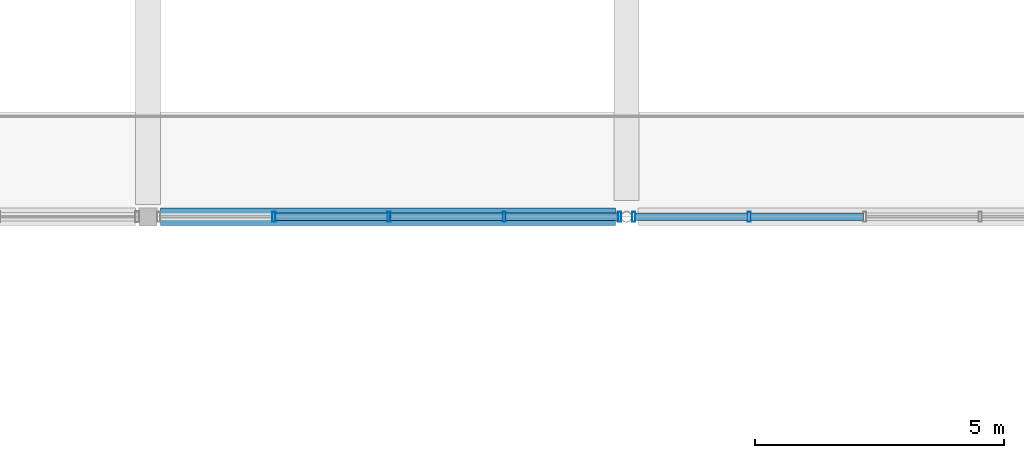
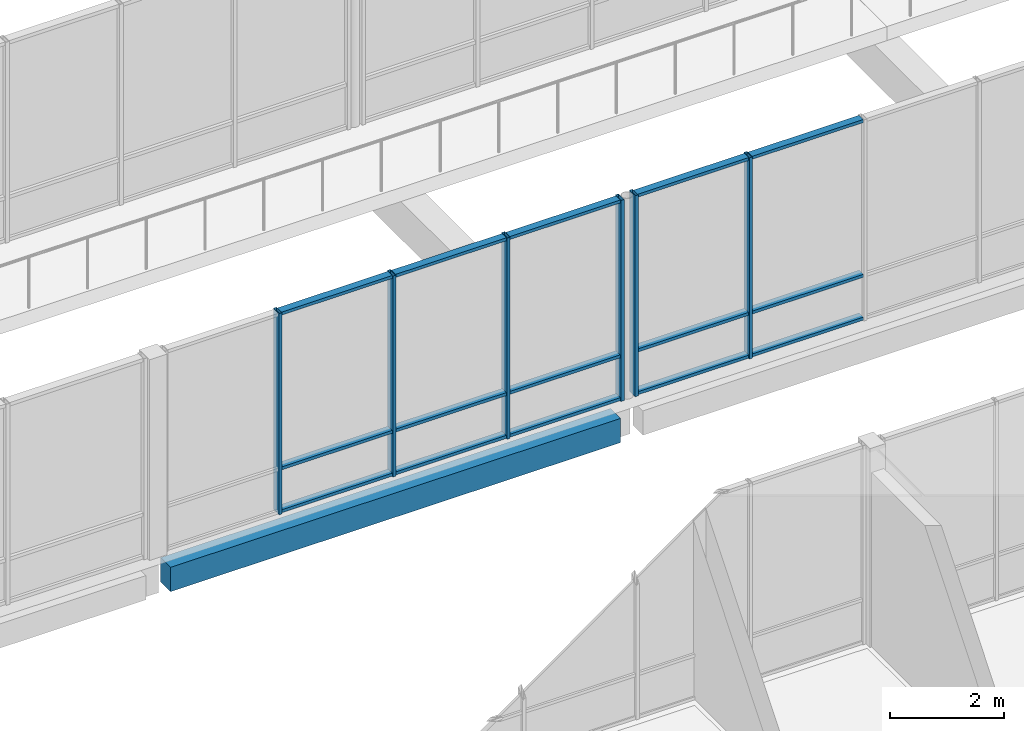
# One storey, part 66 of 146: 21 members, 1 beam, 2 elements without a shape of their own.
"""IFC4 building model written with IfcOpenShell, lengths in metres."""

from ifc_helpers import new_model, si_unit, direction, frame, origin, origin_2d, place, context, subcontext, project, spatial, rectangle, hollow_rectangle, extrude, material, material_profile, profile_set, type_object, element, aggregate, save


model = new_model("IFC4")

# Units and contexts
model_context = context("Model", 3, precision=1e-05, world=origin(), true_north=direction((0.0, 1.0)))
body_context = subcontext(model_context, "Body", "Model", "MODEL_VIEW")
ifc_project = project(units=[si_unit("LENGTHUNIT", "METRE"), si_unit("AREAUNIT", "SQUARE_METRE"), si_unit("VOLUMEUNIT", "CUBIC_METRE"), si_unit("PLANEANGLEUNIT", "RADIAN"), si_unit("MASSUNIT", "GRAM", prefix="KILO")], contexts=[model_context])

# Site, building, storey
site_placement = place(None, origin())
site = spatial("IfcSite", under=ifc_project, at=site_placement, CompositionType="ELEMENT")
building_placement = place(site_placement, origin())
building = spatial("IfcBuilding", under=site, at=building_placement, Name="Hawrajan Terrace Health Centre", CompositionType="ELEMENT")
storey_placement = place(building_placement, frame((0.0, 0.0, 4.5)))
storey = spatial("IfcBuildingStorey", under=building, at=storey_placement, Name="L01", CompositionType="ELEMENT", Elevation=4.5)

# Curtain wall, members
ifc_material_1 = material(Name="Anodized bronze aluminium and low-E solar glazing", Category="aluminium")
curtain_wall_type_1 = type_object("IfcCurtainWallType", Name="CW_Setback_SeriesL1", PredefinedType="USERDEFINED", material=ifc_material_1)
curtain_wall_1_placement = place(storey_placement, origin())
curtain_wall_1 = element("IfcCurtainWall", 1, at=curtain_wall_1_placement, inside=storey, type_object=curtain_wall_type_1, Name="Curtain wall CW-L01-094", ObjectType="UNITISED CURTAIN WALL", PredefinedType="USERDEFINED")
ifc_material_2 = material(Name="Anodized bronze aluminium 6063-T6", Category="aluminium")
ifc_material_profile_1 = material_profile(ifc_material_2, hollow_rectangle(XDim=0.06494140625, YDim=0.199951171875, WallThickness=0.00439453125, at=origin_2d()), Name="CW MUL 65x200")
ifc_profile_set_1 = profile_set([ifc_material_profile_1], Name="Anodized bronze aluminium 6063-T6")
member_type_1 = type_object("IfcMemberType", Name="CWMullion_65x200", PredefinedType="MULLION", material=ifc_profile_set_1)
member_1_placement = place(storey_placement, frame((83.923828125, 27.199951171875, -0.0048828125), z_axis=(0.0, 0.0, 1.0), x_axis=(1.0, 0.0, 0.0)))
member_1 = element("IfcMember", 2, at=member_1_placement, type_object=member_type_1, Name="Mullion CW-L01-094-M2", PredefinedType="MULLION", context=body_context, shape_type="SweptSolid", body=[
    extrude(hollow_rectangle(XDim=0.06494140625, YDim=0.199951171875, WallThickness=0.00439453125, at=origin_2d()), origin(), (0.0, 0.0, 1.0), 4.309814453125),
])
member_2_placement = place(storey_placement, frame((86.2353515625, 27.199951171875, -0.0048828125), z_axis=(0.0, 0.0, 1.0), x_axis=(1.0, 0.0, 0.0)))
member_2 = element("IfcMember", 3, at=member_2_placement, type_object=member_type_1, Name="Mullion CW-L01-094-M3", PredefinedType="MULLION", context=body_context, shape_type="SweptSolid", body=[
    extrude(hollow_rectangle(XDim=0.06494140625, YDim=0.199951171875, WallThickness=0.00439453125, at=origin_2d()), origin(), (0.0, 0.0, 1.0), 4.309814453125),
])
member_3_placement = place(storey_placement, frame((88.546630859375, 27.199951171875, -0.0048828125), z_axis=(0.0, 0.0, 1.0), x_axis=(1.0, 0.0, 0.0)))
member_3 = element("IfcMember", 4, at=member_3_placement, type_object=member_type_1, Name="Mullion CW-L01-094-M4", PredefinedType="MULLION", context=body_context, shape_type="SweptSolid", body=[
    extrude(hollow_rectangle(XDim=0.06494140625, YDim=0.199951171875, WallThickness=0.00439453125, at=origin_2d()), origin(), (0.0, 0.0, 1.0), 4.309814453125),
])
member_4_placement = place(storey_placement, frame((90.85791015625, 27.199951171875, -0.0048828125), z_axis=(0.0, 0.0, 1.0), x_axis=(1.0, 0.0, 0.0)))
member_4 = element("IfcMember", 5, at=member_4_placement, type_object=member_type_1, Name="Mullion CW-L01-094-M5", PredefinedType="MULLION", context=body_context, shape_type="SweptSolid", body=[
    extrude(hollow_rectangle(XDim=0.06494140625, YDim=0.199951171875, WallThickness=0.00439453125, at=origin_2d()), origin(), (0.0, 0.0, 1.0), 4.309814453125),
])

curtain_wall_type_2 = type_object("IfcCurtainWallType", Name="CW_Court_SeriesA1", PredefinedType="USERDEFINED", material=ifc_material_1)
curtain_wall_2_placement = place(storey_placement, origin())
curtain_wall_2 = element("IfcCurtainWall", 6, at=curtain_wall_2_placement, inside=storey, type_object=curtain_wall_type_2, Name="Curtain wall CW-L01-097", ObjectType="UNITISED CURTAIN WALL", PredefinedType="USERDEFINED")
member_5_placement = place(storey_placement, frame((91.14208984375, 27.199951171875, -0.0048828125), z_axis=(0.0, 0.0, 1.0), x_axis=(1.0, 0.0, 0.0)))
member_5 = element("IfcMember", 7, at=member_5_placement, type_object=member_type_1, Name="Mullion CW-L01-097-M1", PredefinedType="MULLION", context=body_context, shape_type="SweptSolid", body=[
    extrude(hollow_rectangle(XDim=0.06494140625, YDim=0.199951171875, WallThickness=0.00439453125, at=origin_2d()), origin(), (0.0, 0.0, 1.0), 4.309814453125),
])
member_6_placement = place(storey_placement, frame((93.4609375, 27.199951171875, -0.0048828125), z_axis=(0.0, 0.0, 1.0), x_axis=(1.0, 0.0, 0.0)))
member_6 = element("IfcMember", 8, at=member_6_placement, type_object=member_type_1, Name="Mullion CW-L01-097-M2", PredefinedType="MULLION", context=body_context, shape_type="SweptSolid", body=[
    extrude(hollow_rectangle(XDim=0.06494140625, YDim=0.199951171875, WallThickness=0.00439453125, at=origin_2d()), origin(), (0.0, 0.0, 1.0), 4.309814453125),
])

# Member
ifc_material_profile_2 = material_profile(ifc_material_2, hollow_rectangle(XDim=0.06494140625, YDim=0.14990234375, WallThickness=0.00390625, at=origin_2d()), Name="CW TRN 65x150")
ifc_profile_set_2 = profile_set([ifc_material_profile_2], Name="Anodized bronze aluminium 6063-T6")
member_type_2 = type_object("IfcMemberType", Name="CWTransom_65x150", PredefinedType="USERDEFINED", material=ifc_profile_set_2)
member_7_placement = place(storey_placement, frame((83.950439453125, 27.199951171875, 0.032470703125), z_axis=(1.0, 0.0, 0.0), x_axis=(0.0, 0.0, 1.0)))
member_7 = element("IfcMember", 9, at=member_7_placement, type_object=member_type_2, Name="Transom CW-L01-094-T2-1", ObjectType="TRANSOM", PredefinedType="USERDEFINED", context=body_context, shape_type="SweptSolid", body=[
    extrude(hollow_rectangle(XDim=0.06494140625, YDim=0.14990234375, WallThickness=0.00390625, at=origin_2d()), origin(), (0.0, 0.0, 1.0), 2.25830078125),
])

member_8_placement = place(storey_placement, frame((83.950439453125, 27.199951171875, 0.949951171875), z_axis=(1.0, 0.0, 0.0), x_axis=(0.0, 0.0, 1.0)))
member_8 = element("IfcMember", 10, at=member_8_placement, type_object=member_type_2, Name="Transom CW-L01-094-T2-2", ObjectType="TRANSOM", PredefinedType="USERDEFINED", context=body_context, shape_type="SweptSolid", body=[
    extrude(hollow_rectangle(XDim=0.06494140625, YDim=0.14990234375, WallThickness=0.00390625, at=origin_2d()), origin(), (0.0, 0.0, 1.0), 2.25830078125),
])

member_9_placement = place(storey_placement, frame((83.950439453125, 27.199951171875, 4.267578125), z_axis=(1.0, 0.0, 0.0), x_axis=(0.0, 0.0, 1.0)))
member_9 = element("IfcMember", 11, at=member_9_placement, type_object=member_type_2, Name="Transom CW-L01-094-T2-3", ObjectType="TRANSOM", PredefinedType="USERDEFINED", context=body_context, shape_type="SweptSolid", body=[
    extrude(hollow_rectangle(XDim=0.06494140625, YDim=0.14990234375, WallThickness=0.00390625, at=origin_2d()), origin(), (0.0, 0.0, 1.0), 2.25830078125),
])

member_10_placement = place(storey_placement, frame((86.26171875, 27.199951171875, 0.032470703125), z_axis=(1.0, 0.0, 0.0), x_axis=(0.0, 0.0, 1.0)))
member_10 = element("IfcMember", 12, at=member_10_placement, type_object=member_type_2, Name="Transom CW-L01-094-T3-1", ObjectType="TRANSOM", PredefinedType="USERDEFINED", context=body_context, shape_type="SweptSolid", body=[
    extrude(hollow_rectangle(XDim=0.06494140625, YDim=0.14990234375, WallThickness=0.00390625, at=origin_2d()), origin(), (0.0, 0.0, 1.0), 2.25830078125),
])

member_11_placement = place(storey_placement, frame((86.26171875, 27.199951171875, 0.949951171875), z_axis=(1.0, 0.0, 0.0), x_axis=(0.0, 0.0, 1.0)))
member_11 = element("IfcMember", 13, at=member_11_placement, type_object=member_type_2, Name="Transom CW-L01-094-T3-2", ObjectType="TRANSOM", PredefinedType="USERDEFINED", context=body_context, shape_type="SweptSolid", body=[
    extrude(hollow_rectangle(XDim=0.06494140625, YDim=0.14990234375, WallThickness=0.00390625, at=origin_2d()), origin(), (0.0, 0.0, 1.0), 2.25830078125),
])

member_12_placement = place(storey_placement, frame((86.26171875, 27.199951171875, 4.267578125), z_axis=(1.0, 0.0, 0.0), x_axis=(0.0, 0.0, 1.0)))
member_12 = element("IfcMember", 14, at=member_12_placement, type_object=member_type_2, Name="Transom CW-L01-094-T3-3", ObjectType="TRANSOM", PredefinedType="USERDEFINED", context=body_context, shape_type="SweptSolid", body=[
    extrude(hollow_rectangle(XDim=0.06494140625, YDim=0.14990234375, WallThickness=0.00390625, at=origin_2d()), origin(), (0.0, 0.0, 1.0), 2.25830078125),
])

member_13_placement = place(storey_placement, frame((88.572998046875, 27.199951171875, 0.032470703125), z_axis=(1.0, 0.0, 0.0), x_axis=(0.0, 0.0, 1.0)))
member_13 = element("IfcMember", 15, at=member_13_placement, type_object=member_type_2, Name="Transom CW-L01-094-T4-1", ObjectType="TRANSOM", PredefinedType="USERDEFINED", context=body_context, shape_type="SweptSolid", body=[
    extrude(hollow_rectangle(XDim=0.06494140625, YDim=0.14990234375, WallThickness=0.00390625, at=origin_2d()), origin(), (0.0, 0.0, 1.0), 2.258544921875),
])

member_14_placement = place(storey_placement, frame((88.572998046875, 27.199951171875, 0.949951171875), z_axis=(1.0, 0.0, 0.0), x_axis=(0.0, 0.0, 1.0)))
member_14 = element("IfcMember", 16, at=member_14_placement, type_object=member_type_2, Name="Transom CW-L01-094-T4-2", ObjectType="TRANSOM", PredefinedType="USERDEFINED", context=body_context, shape_type="SweptSolid", body=[
    extrude(hollow_rectangle(XDim=0.06494140625, YDim=0.14990234375, WallThickness=0.00390625, at=origin_2d()), origin(), (0.0, 0.0, 1.0), 2.258544921875),
])

member_15_placement = place(storey_placement, frame((88.572998046875, 27.199951171875, 4.267578125), z_axis=(1.0, 0.0, 0.0), x_axis=(0.0, 0.0, 1.0)))
member_15 = element("IfcMember", 17, at=member_15_placement, type_object=member_type_2, Name="Transom CW-L01-094-T4-3", ObjectType="TRANSOM", PredefinedType="USERDEFINED", context=body_context, shape_type="SweptSolid", body=[
    extrude(hollow_rectangle(XDim=0.06494140625, YDim=0.14990234375, WallThickness=0.00390625, at=origin_2d()), origin(), (0.0, 0.0, 1.0), 2.258544921875),
])

aggregate(curtain_wall_1, [member_1, member_2, member_3, member_4, member_7, member_8, member_9, member_10, member_11, member_12, member_13, member_14, member_15])

member_16_placement = place(storey_placement, frame((91.16845703125, 27.199951171875, 0.032470703125), z_axis=(1.0, 0.0, 0.0), x_axis=(0.0, 0.0, 1.0)))
member_16 = element("IfcMember", 18, at=member_16_placement, type_object=member_type_2, Name="Transom CW-L01-097-T1-1", ObjectType="TRANSOM", PredefinedType="USERDEFINED", context=body_context, shape_type="SweptSolid", body=[
    extrude(hollow_rectangle(XDim=0.06494140625, YDim=0.14990234375, WallThickness=0.00390625, at=origin_2d()), origin(), (0.0, 0.0, 1.0), 2.265869140625),
])

member_17_placement = place(storey_placement, frame((91.16845703125, 27.199951171875, 0.949951171875), z_axis=(1.0, 0.0, 0.0), x_axis=(0.0, 0.0, 1.0)))
member_17 = element("IfcMember", 19, at=member_17_placement, type_object=member_type_2, Name="Transom CW-L01-097-T1-2", ObjectType="TRANSOM", PredefinedType="USERDEFINED", context=body_context, shape_type="SweptSolid", body=[
    extrude(hollow_rectangle(XDim=0.06494140625, YDim=0.14990234375, WallThickness=0.00390625, at=origin_2d()), origin(), (0.0, 0.0, 1.0), 2.265869140625),
])

member_18_placement = place(storey_placement, frame((91.16845703125, 27.199951171875, 4.267578125), z_axis=(1.0, 0.0, 0.0), x_axis=(0.0, 0.0, 1.0)))
member_18 = element("IfcMember", 20, at=member_18_placement, type_object=member_type_2, Name="Transom CW-L01-097-T1-3", ObjectType="TRANSOM", PredefinedType="USERDEFINED", context=body_context, shape_type="SweptSolid", body=[
    extrude(hollow_rectangle(XDim=0.06494140625, YDim=0.14990234375, WallThickness=0.00390625, at=origin_2d()), origin(), (0.0, 0.0, 1.0), 2.265869140625),
])

member_19_placement = place(storey_placement, frame((93.4873046875, 27.199951171875, 0.032470703125), z_axis=(1.0, 0.0, 0.0), x_axis=(0.0, 0.0, 1.0)))
member_19 = element("IfcMember", 21, at=member_19_placement, type_object=member_type_2, Name="Transom CW-L01-097-T2-1", ObjectType="TRANSOM", PredefinedType="USERDEFINED", context=body_context, shape_type="SweptSolid", body=[
    extrude(hollow_rectangle(XDim=0.06494140625, YDim=0.14990234375, WallThickness=0.00390625, at=origin_2d()), origin(), (0.0, 0.0, 1.0), 2.265869140625),
])

member_20_placement = place(storey_placement, frame((93.4873046875, 27.199951171875, 0.949951171875), z_axis=(1.0, 0.0, 0.0), x_axis=(0.0, 0.0, 1.0)))
member_20 = element("IfcMember", 22, at=member_20_placement, type_object=member_type_2, Name="Transom CW-L01-097-T2-2", ObjectType="TRANSOM", PredefinedType="USERDEFINED", context=body_context, shape_type="SweptSolid", body=[
    extrude(hollow_rectangle(XDim=0.06494140625, YDim=0.14990234375, WallThickness=0.00390625, at=origin_2d()), origin(), (0.0, 0.0, 1.0), 2.265869140625),
])

member_21_placement = place(storey_placement, frame((93.4873046875, 27.199951171875, 4.267578125), z_axis=(1.0, 0.0, 0.0), x_axis=(0.0, 0.0, 1.0)))
member_21 = element("IfcMember", 23, at=member_21_placement, type_object=member_type_2, Name="Transom CW-L01-097-T2-3", ObjectType="TRANSOM", PredefinedType="USERDEFINED", context=body_context, shape_type="SweptSolid", body=[
    extrude(hollow_rectangle(XDim=0.06494140625, YDim=0.14990234375, WallThickness=0.00390625, at=origin_2d()), origin(), (0.0, 0.0, 1.0), 2.265869140625),
])

aggregate(curtain_wall_2, [member_5, member_6, member_16, member_17, member_18, member_19, member_20, member_21])

# Beam
ifc_material_3 = material(Name="Concrete C40/50", Category="concrete")
ifc_material_profile_3 = material_profile(ifc_material_3, rectangle(XDim=0.35009765625, YDim=0.52001953125, at=origin_2d()), Name="RC SP 350x520")
ifc_profile_set_3 = profile_set([ifc_material_profile_3], Name="Concrete C40/50")
beam_type = type_object("IfcBeamType", Name="RCSpandrel_350x520", PredefinedType="SPANDREL", material=ifc_profile_set_3)
beam_placement = place(storey_placement, frame((81.64990234375, 27.199951171875, -0.56005859375), z_axis=(1.0, 0.0, 0.0), x_axis=(0.0, 1.0, 0.0)))
element("IfcBeam", 24, at=beam_placement, inside=storey, type_object=beam_type, Name="Beam BM-X-L01-C-11-Y4", PredefinedType="SPANDREL", context=body_context, shape_type="SweptSolid", body=[
    extrude(rectangle(XDim=0.35009765625, YDim=0.52001953125, at=origin_2d()), origin(), (0.0, 0.0, 1.0), 9.125),
])

save(model, "model.ifc")
